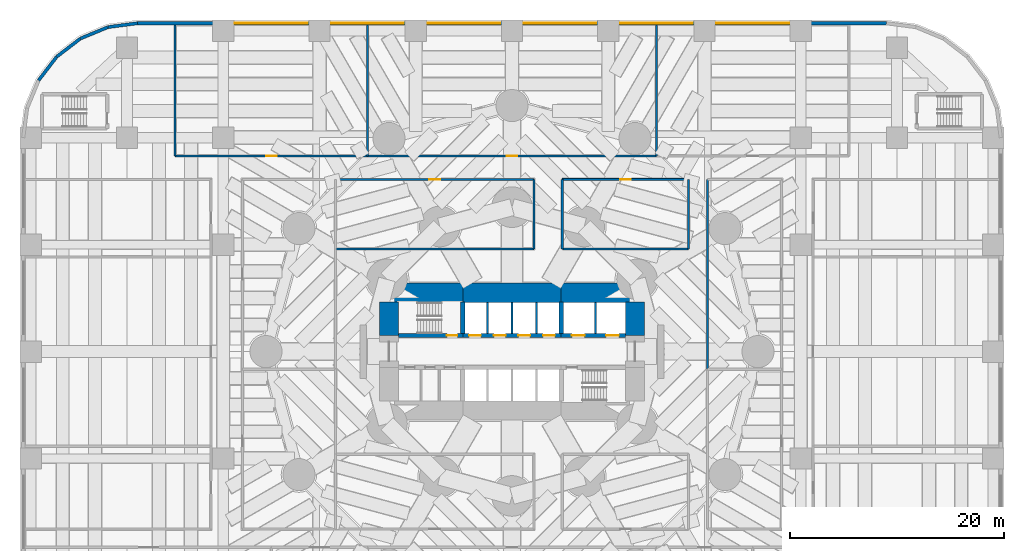
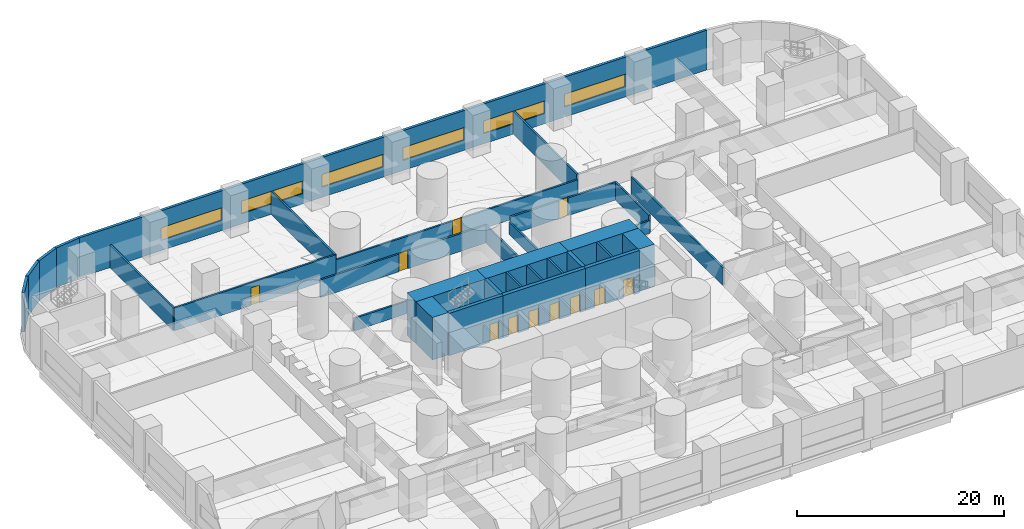
# One storey, part 9 of 17: 32 walls, 11 doors, 6 windows, 17 openings.
"""IFC4 building model written with IfcOpenShell, lengths in metres."""

from ifc_helpers import new_model, si_unit, direction, frame, frame_2d, origin, place, context, subcontext, project, spatial, rectangle, extrude, material, layer, layer_set, type_object, element, fill, save


model = new_model("IFC4")

# Units and contexts
model_context = context("Model", 3, precision=1e-05, world=origin(), true_north=direction((0.0, 1.0)))
body_context = subcontext(model_context, "Body", "Model", "MODEL_VIEW")
ifc_project = project(units=[si_unit("LENGTHUNIT", "METRE"), si_unit("AREAUNIT", "SQUARE_METRE"), si_unit("VOLUMEUNIT", "CUBIC_METRE"), si_unit("PLANEANGLEUNIT", "RADIAN"), si_unit("MASSUNIT", "GRAM", prefix="KILO")], contexts=[model_context])

# Site, building, storey
site_placement = place(None, origin())
site = spatial("IfcSite", under=ifc_project, at=site_placement, CompositionType="ELEMENT")
building_placement = place(site_placement, origin())
building = spatial("IfcBuilding", under=site, at=building_placement, Name="Qaws Media Tower", CompositionType="ELEMENT")
storey_placement = place(building_placement, frame((0.0, 0.0, 15.0)))
storey = spatial("IfcBuildingStorey", under=building, at=storey_placement, Name="L02", CompositionType="ELEMENT", Elevation=15.0)

# Wall, opening, door
ifc_material_1 = material(Name="Concrete C60/75", Category="concrete")
ifc_layer_1 = layer(ifc_material_1, 0.39990234375)
ifc_layer_set_1 = layer_set([ifc_layer_1], Name="Core inner wall 400")
wall_type_1 = type_object("IfcWallType", Name="Core inner wall 400", PredefinedType="SHEAR", material=ifc_layer_set_1)
wall_1_placement = place(storey_placement, frame((49.3798828125, 51.5, 0.0), z_axis=(0.0, 0.0, 1.0), x_axis=(1.0, 0.0, 0.0)))
wall_1 = element("IfcWall", 1, at=wall_1_placement, inside=storey, type_object=wall_type_1, Name="W311 SW4 core wall SPNW L02", PredefinedType="SHEAR", context=body_context, shape_type="SweptSolid", body=[
    extrude(rectangle(XDim=6.02001953125, YDim=0.39990234375, at=frame_2d((3.010009765625, 0.0))), origin(), (0.0, 0.0, 1.0), 5.0),
])
opening_1_placement = place(wall_1_placement, frame((4.52001953125, 0.0, 0.0)))
opening_1 = element("IfcOpeningElement", 2, at=opening_1_placement, cuts=wall_1, Name="Opening D1", PredefinedType="OPENING", context=body_context, shape_type="SweptSolid", body=[
    extrude(rectangle(XDim=1.0, YDim=2.10009765625, at=frame_2d((0.5, 1.050048828125))), frame((0.0, 0.2099609375, 0.0), z_axis=(0.0, -1.0, 0.0), x_axis=(1.0, 0.0, 0.0)), (0.0, 0.0, 1.0), 0.419921875),
])
ifc_material_2 = material(Name="Steel, fire rated", Category="steel")
door_type_1 = type_object("IfcDoorType", Name="Stair door 1000 FD120", OperationType="SINGLE_SWING_LEFT", PredefinedType="DOOR", material=ifc_material_2)
door_1_placement = place(opening_1_placement, origin())
door_1 = element("IfcDoor", 3, at=door_1_placement, inside=storey, type_object=door_type_1, Name="D1 stair S1 door L02 in wall W311", OperationType="SINGLE_SWING_LEFT", OverallHeight=2.10009765625, OverallWidth=1.0, PredefinedType="DOOR", context=body_context, shape_type="SweptSolid", body=[
    extrude(rectangle(XDim=1.0, YDim=2.10009765625, at=frame_2d((0.5, 1.050048828125))), frame((0.0, 0.02490234375, 0.0), z_axis=(0.0, -1.0, 0.0), x_axis=(1.0, 0.0, 0.0)), (0.0, 0.0, 1.0), 0.050048828125),
])
fill(opening_1, door_1)

# Wall, openings, doors
wall_2_placement = place(storey_placement, frame((55.39990234375, 51.5, 0.0), z_axis=(0.0, 0.0, 1.0), x_axis=(1.0, 0.0, 0.0)))
wall_2 = element("IfcWall", 4, at=wall_2_placement, inside=storey, type_object=wall_type_1, Name="W314 SW4 core wall SPN L02", PredefinedType="SHEAR", context=body_context, shape_type="SweptSolid", body=[
    extrude(rectangle(XDim=9.2001953125, YDim=0.39990234375, at=frame_2d((4.60009765625, 0.0))), origin(), (0.0, 0.0, 1.0), 5.0),
])
opening_2_placement = place(wall_2_placement, frame((0.60009765625, 0.0, 0.0)))
opening_2 = element("IfcOpeningElement", 5, at=opening_2_placement, cuts=wall_2, Name="Opening LD", PredefinedType="OPENING", context=body_context, shape_type="SweptSolid", body=[
    extrude(rectangle(XDim=1.10009765625, YDim=2.10009765625, at=frame_2d((0.550048828125, 1.050048828125))), frame((0.0, 0.2099609375, 0.0), z_axis=(0.0, -1.0, 0.0), x_axis=(1.0, 0.0, 0.0)), (0.0, 0.0, 1.0), 0.419921875),
])
opening_3_placement = place(wall_2_placement, frame((2.89990234375, 0.0, 0.0)))
opening_3 = element("IfcOpeningElement", 6, at=opening_3_placement, cuts=wall_2, Name="Opening LD", PredefinedType="OPENING", context=body_context, shape_type="SweptSolid", body=[
    extrude(rectangle(XDim=1.10009765625, YDim=2.10009765625, at=frame_2d((0.550048828125, 1.050048828125))), frame((0.0, 0.2099609375, 0.0), z_axis=(0.0, -1.0, 0.0), x_axis=(1.0, 0.0, 0.0)), (0.0, 0.0, 1.0), 0.419921875),
])
opening_4_placement = place(wall_2_placement, frame((5.199951171875, 0.0, 0.0)))
opening_4 = element("IfcOpeningElement", 7, at=opening_4_placement, cuts=wall_2, Name="Opening LD", PredefinedType="OPENING", context=body_context, shape_type="SweptSolid", body=[
    extrude(rectangle(XDim=1.10009765625, YDim=2.10009765625, at=frame_2d((0.550048828125, 1.050048828125))), frame((0.0, 0.2099609375, 0.0), z_axis=(0.0, -1.0, 0.0), x_axis=(1.0, 0.0, 0.0)), (0.0, 0.0, 1.0), 0.419921875),
])
opening_5_placement = place(wall_2_placement, frame((7.5, 0.0, 0.0)))
opening_5 = element("IfcOpeningElement", 8, at=opening_5_placement, cuts=wall_2, Name="Opening LD", PredefinedType="OPENING", context=body_context, shape_type="SweptSolid", body=[
    extrude(rectangle(XDim=1.10009765625, YDim=2.10009765625, at=frame_2d((0.550048828125, 1.050048828125))), frame((0.0, 0.2099609375, 0.0), z_axis=(0.0, -1.0, 0.0), x_axis=(1.0, 0.0, 0.0)), (0.0, 0.0, 1.0), 0.419921875),
])
ifc_material_3 = material(Name="Steel, fire rated", Category="steel")
door_type_2 = type_object("IfcDoorType", Name="Lift landing door 1100", OperationType="SLIDING_TO_LEFT", PredefinedType="DOOR", material=ifc_material_3)
door_2_placement = place(opening_2_placement, origin())
door_2 = element("IfcDoor", 9, at=door_2_placement, inside=storey, type_object=door_type_2, Name="P1 landing door L02 in wall W314", OperationType="SLIDING_TO_LEFT", OverallHeight=2.10009765625, OverallWidth=1.10009765625, PredefinedType="DOOR", context=body_context, shape_type="SweptSolid", body=[
    extrude(rectangle(XDim=1.10009765625, YDim=2.10009765625, at=frame_2d((0.550048828125, 1.050048828125))), frame((0.0, 0.02490234375, 0.0), z_axis=(0.0, -1.0, 0.0), x_axis=(1.0, 0.0, 0.0)), (0.0, 0.0, 1.0), 0.050048828125),
])
fill(opening_2, door_2)
door_3_placement = place(opening_3_placement, origin())
door_3 = element("IfcDoor", 10, at=door_3_placement, inside=storey, type_object=door_type_2, Name="P2 landing door L02 in wall W314", OperationType="SLIDING_TO_LEFT", OverallHeight=2.10009765625, OverallWidth=1.10009765625, PredefinedType="DOOR", context=body_context, shape_type="SweptSolid", body=[
    extrude(rectangle(XDim=1.10009765625, YDim=2.10009765625, at=frame_2d((0.550048828125, 1.050048828125))), frame((0.0, 0.02490234375, 0.0), z_axis=(0.0, -1.0, 0.0), x_axis=(1.0, 0.0, 0.0)), (0.0, 0.0, 1.0), 0.050048828125),
])
fill(opening_3, door_3)
door_4_placement = place(opening_4_placement, origin())
door_4 = element("IfcDoor", 11, at=door_4_placement, inside=storey, type_object=door_type_2, Name="P3 landing door L02 in wall W314", OperationType="SLIDING_TO_LEFT", OverallHeight=2.10009765625, OverallWidth=1.10009765625, PredefinedType="DOOR", context=body_context, shape_type="SweptSolid", body=[
    extrude(rectangle(XDim=1.10009765625, YDim=2.10009765625, at=frame_2d((0.550048828125, 1.050048828125))), frame((0.0, 0.02490234375, 0.0), z_axis=(0.0, -1.0, 0.0), x_axis=(1.0, 0.0, 0.0)), (0.0, 0.0, 1.0), 0.050048828125),
])
fill(opening_4, door_4)
door_5_placement = place(opening_5_placement, origin())
door_5 = element("IfcDoor", 12, at=door_5_placement, inside=storey, type_object=door_type_2, Name="P4 landing door L02 in wall W314", OperationType="SLIDING_TO_LEFT", OverallHeight=2.10009765625, OverallWidth=1.10009765625, PredefinedType="DOOR", context=body_context, shape_type="SweptSolid", body=[
    extrude(rectangle(XDim=1.10009765625, YDim=2.10009765625, at=frame_2d((0.550048828125, 1.050048828125))), frame((0.0, 0.02490234375, 0.0), z_axis=(0.0, -1.0, 0.0), x_axis=(1.0, 0.0, 0.0)), (0.0, 0.0, 1.0), 0.050048828125),
])
fill(opening_5, door_5)

wall_3_placement = place(storey_placement, frame((64.60009765625, 51.5, 0.0), z_axis=(0.0, 0.0, 1.0), x_axis=(1.0, 0.0, 0.0)))
wall_3 = element("IfcWall", 13, at=wall_3_placement, inside=storey, type_object=wall_type_1, Name="W318 SW4 core wall SPNE L02", PredefinedType="SHEAR", context=body_context, shape_type="SweptSolid", body=[
    extrude(rectangle(XDim=6.02001953125, YDim=0.39990234375, at=frame_2d((3.010009765625, 0.0))), origin(), (0.0, 0.0, 1.0), 5.0),
])
opening_6_placement = place(wall_3_placement, frame((1.0, 0.0, 0.0)))
opening_6 = element("IfcOpeningElement", 14, at=opening_6_placement, cuts=wall_3, Name="Opening LD2", PredefinedType="OPENING", context=body_context, shape_type="SweptSolid", body=[
    extrude(rectangle(XDim=1.199951171875, YDim=2.10009765625, at=frame_2d((0.60009765625, 1.050048828125))), frame((0.0, 0.2099609375, 0.0), z_axis=(0.0, -1.0, 0.0), x_axis=(1.0, 0.0, 0.0)), (0.0, 0.0, 1.0), 0.419921875),
])
opening_7_placement = place(wall_3_placement, frame((4.199951171875, 0.0, 0.0)))
opening_7 = element("IfcOpeningElement", 15, at=opening_7_placement, cuts=wall_3, Name="Opening LD2", PredefinedType="OPENING", context=body_context, shape_type="SweptSolid", body=[
    extrude(rectangle(XDim=1.199951171875, YDim=2.10009765625, at=frame_2d((0.60009765625, 1.050048828125))), frame((0.0, 0.2099609375, 0.0), z_axis=(0.0, -1.0, 0.0), x_axis=(1.0, 0.0, 0.0)), (0.0, 0.0, 1.0), 0.419921875),
])
ifc_material_4 = material(Name="Steel, fire rated", Category="steel")
door_type_3 = type_object("IfcDoorType", Name="Lift landing door 1200", OperationType="SLIDING_TO_LEFT", PredefinedType="DOOR", material=ifc_material_4)
door_6_placement = place(opening_6_placement, origin())
door_6 = element("IfcDoor", 16, at=door_6_placement, inside=storey, type_object=door_type_3, Name="FL1 landing door L02 in wall W318", OperationType="SLIDING_TO_LEFT", OverallHeight=2.10009765625, OverallWidth=1.199951171875, PredefinedType="DOOR", context=body_context, shape_type="SweptSolid", body=[
    extrude(rectangle(XDim=1.199951171875, YDim=2.10009765625, at=frame_2d((0.60009765625, 1.050048828125))), frame((0.0, 0.02490234375, 0.0), z_axis=(0.0, -1.0, 0.0), x_axis=(1.0, 0.0, 0.0)), (0.0, 0.0, 1.0), 0.050048828125),
])
fill(opening_6, door_6)
door_7_placement = place(opening_7_placement, origin())
door_7 = element("IfcDoor", 17, at=door_7_placement, inside=storey, type_object=door_type_3, Name="FL2 landing door L02 in wall W318", OperationType="SLIDING_TO_LEFT", OverallHeight=2.10009765625, OverallWidth=1.199951171875, PredefinedType="DOOR", context=body_context, shape_type="SweptSolid", body=[
    extrude(rectangle(XDim=1.199951171875, YDim=2.10009765625, at=frame_2d((0.60009765625, 1.050048828125))), frame((0.0, 0.02490234375, 0.0), z_axis=(0.0, -1.0, 0.0), x_axis=(1.0, 0.0, 0.0)), (0.0, 0.0, 1.0), 0.050048828125),
])
fill(opening_7, door_7)

# Walls
for number, where, z_axis, x_axis, name in (
    (18, (55.39990234375, 51.679931640625, 0.0), (0.0, 0.0, 1.0), (0.0, 1.0, 0.0), "W315 SW4 core wall XNW L02"),
    (19, (64.60009765625, 51.679931640625, 0.0), (0.0, 0.0, 1.0), (0.0, 1.0, 0.0), "W319 SW4 core wall XNE L02"),
):
    element("IfcWall", number, at=place(storey_placement, frame(where, z_axis=z_axis, x_axis=x_axis)), inside=storey, type_object=wall_type_1, Name=name, PredefinedType="SHEAR", context=body_context, shape_type="SweptSolid", body=[
        extrude(rectangle(XDim=2.940185546875, YDim=0.39990234375, at=frame_2d((1.47021484375, 0.0))), origin(), (0.0, 0.0, 1.0), 5.0),
    ])
ifc_material_5 = material(Name="Concrete C60/75", Category="concrete")
ifc_layer_2 = layer(ifc_material_5, 1.800048828125)
ifc_layer_set_2 = layer_set([ifc_layer_2], Name="Core wall 1800")
wall_type_2 = type_object("IfcWallType", Name="Core wall 1800", PredefinedType="SHEAR", material=ifc_layer_set_2)
wall_4_placement = place(storey_placement, frame((47.60009765625, 55.5, 0.0), z_axis=(0.0, 0.0, 1.0), x_axis=(1.0, 0.0, 0.0)))
element("IfcWall", 20, at=wall_4_placement, inside=storey, type_object=wall_type_2, Name="W399 SW11 core wall NW L02", PredefinedType="SHEAR", context=body_context, shape_type="SweptSolid", body=[
    extrude(rectangle(XDim=7.7998046875, YDim=1.800048828125, at=frame_2d((3.89990234375, 0.0))), origin(), (0.0, 0.0, 1.0), 5.0),
])
wall_5_placement = place(storey_placement, frame((55.39990234375, 55.5, 0.0), z_axis=(0.0, 0.0, 1.0), x_axis=(1.0, 0.0, 0.0)))
element("IfcWall", 21, at=wall_5_placement, inside=storey, type_object=wall_type_2, Name="W404 SW11 core wall N L02", PredefinedType="SHEAR", context=body_context, shape_type="SweptSolid", body=[
    extrude(rectangle(XDim=9.2001953125, YDim=1.800048828125, at=frame_2d((4.60009765625, 0.0))), origin(), (0.0, 0.0, 1.0), 5.0),
])
wall_6_placement = place(storey_placement, frame((64.60009765625, 55.5, 0.0), z_axis=(0.0, 0.0, 1.0), x_axis=(1.0, 0.0, 0.0)))
element("IfcWall", 22, at=wall_6_placement, inside=storey, type_object=wall_type_2, Name="W406 SW11 core wall NE L02", PredefinedType="SHEAR", context=body_context, shape_type="SweptSolid", body=[
    extrude(rectangle(XDim=7.7998046875, YDim=1.800048828125, at=frame_2d((3.89990234375, 0.0))), origin(), (0.0, 0.0, 1.0), 5.0),
])
for number, where, z_axis, x_axis, name in (
    (23, (71.5, 51.5, 0.0), (0.0, 0.0, 1.0), (0.0, 1.0, 0.0), "W409 SW11 core wall EN L02"),
    (24, (48.5, 51.5, 0.0), (0.0, 0.0, 1.0), (0.0, 1.0, 0.0), "W402 SW11 core wall WN L02"),
):
    element("IfcWall", number, at=place(storey_placement, frame(where, z_axis=z_axis, x_axis=x_axis)), inside=storey, type_object=wall_type_2, Name=name, PredefinedType="SHEAR", context=body_context, shape_type="SweptSolid", body=[
        extrude(rectangle(XDim=3.1201171875, YDim=1.800048828125, at=frame_2d((1.56005859375, 0.0))), origin(), (0.0, 0.0, 1.0), 5.0),
    ])

# Wall, openings, windows
ifc_material_6 = material(Name="Precast concrete, exposed finish", Category="concrete")
ifc_layer_3 = layer(ifc_material_6, 0.300048828125)
ifc_layer_set_3 = layer_set([ifc_layer_3], Name="Podium facade wall 300")
wall_type_3 = type_object("IfcWallType", Name="Podium facade wall 300", PredefinedType="SOLIDWALL", material=ifc_layer_set_3)
wall_7_placement = place(storey_placement, frame((95.0, 80.699951171875, 0.0), z_axis=(0.0, 0.0, 1.0), x_axis=(-1.0, 0.0, 0.0)))
wall_7 = element("IfcWall", 25, at=wall_7_placement, inside=storey, type_object=wall_type_3, Name="W780 EW2 podium wall L02-14", PredefinedType="SOLIDWALL", context=body_context, shape_type="SweptSolid", body=[
    extrude(rectangle(XDim=70.0, YDim=0.300048828125, at=frame_2d((35.0, 0.0))), origin(), (0.0, 0.0, 1.0), 4.699951171875),
])
opening_8_placement = place(wall_7_placement, frame((54.10009765625, 0.0, 1.199951171875)))
opening_8 = element("IfcOpeningElement", 26, at=opening_8_placement, cuts=wall_7, Name="Opening W2", PredefinedType="OPENING", context=body_context, shape_type="SweptSolid", body=[
    extrude(rectangle(XDim=6.800048828125, YDim=1.5, at=frame_2d((3.39990234375, 0.75))), frame((0.0, 0.159912109375, 0.0), z_axis=(0.0, -1.0, 0.0), x_axis=(1.0, 0.0, 0.0)), (0.0, 0.0, 1.0), 0.320068359375),
])
opening_9_placement = place(wall_7_placement, frame((45.10009765625, 0.0, 1.199951171875)))
opening_9 = element("IfcOpeningElement", 27, at=opening_9_placement, cuts=wall_7, Name="Opening W2", PredefinedType="OPENING", context=body_context, shape_type="SweptSolid", body=[
    extrude(rectangle(XDim=6.800048828125, YDim=1.5, at=frame_2d((3.39990234375, 0.75))), frame((0.0, 0.159912109375, 0.0), z_axis=(0.0, -1.0, 0.0), x_axis=(1.0, 0.0, 0.0)), (0.0, 0.0, 1.0), 0.320068359375),
])
opening_10_placement = place(wall_7_placement, frame((36.10009765625, 0.0, 1.199951171875)))
opening_10 = element("IfcOpeningElement", 28, at=opening_10_placement, cuts=wall_7, Name="Opening W2", PredefinedType="OPENING", context=body_context, shape_type="SweptSolid", body=[
    extrude(rectangle(XDim=6.800048828125, YDim=1.5, at=frame_2d((3.39990234375, 0.75))), frame((0.0, 0.159912109375, 0.0), z_axis=(0.0, -1.0, 0.0), x_axis=(1.0, 0.0, 0.0)), (0.0, 0.0, 1.0), 0.320068359375),
])
opening_11_placement = place(wall_7_placement, frame((27.10009765625, 0.0, 1.199951171875)))
opening_11 = element("IfcOpeningElement", 29, at=opening_11_placement, cuts=wall_7, Name="Opening W2", PredefinedType="OPENING", context=body_context, shape_type="SweptSolid", body=[
    extrude(rectangle(XDim=6.800048828125, YDim=1.5, at=frame_2d((3.39990234375, 0.75))), frame((0.0, 0.159912109375, 0.0), z_axis=(0.0, -1.0, 0.0), x_axis=(1.0, 0.0, 0.0)), (0.0, 0.0, 1.0), 0.320068359375),
])
opening_12_placement = place(wall_7_placement, frame((18.10009765625, 0.0, 1.199951171875)))
opening_12 = element("IfcOpeningElement", 30, at=opening_12_placement, cuts=wall_7, Name="Opening W2", PredefinedType="OPENING", context=body_context, shape_type="SweptSolid", body=[
    extrude(rectangle(XDim=6.800048828125, YDim=1.5, at=frame_2d((3.39990234375, 0.75))), frame((0.0, 0.159912109375, 0.0), z_axis=(0.0, -1.0, 0.0), x_axis=(1.0, 0.0, 0.0)), (0.0, 0.0, 1.0), 0.320068359375),
])
opening_13_placement = place(wall_7_placement, frame((9.10009765625, 0.0, 1.199951171875)))
opening_13 = element("IfcOpeningElement", 31, at=opening_13_placement, cuts=wall_7, Name="Opening W2", PredefinedType="OPENING", context=body_context, shape_type="SweptSolid", body=[
    extrude(rectangle(XDim=6.800048828125, YDim=1.5, at=frame_2d((3.39990234375, 0.75))), frame((0.0, 0.159912109375, 0.0), z_axis=(0.0, -1.0, 0.0), x_axis=(1.0, 0.0, 0.0)), (0.0, 0.0, 1.0), 0.320068359375),
])
ifc_material_7 = material(Name="Aluminium and clear glass", Category="aluminium")
window_type = type_object("IfcWindowType", Name="Ribbon window 6800x1500", PartitioningType="TRIPLE_PANEL_HORIZONTAL", PredefinedType="WINDOW", material=ifc_material_7)
window_1_placement = place(opening_8_placement, origin())
window_1 = element("IfcWindow", 32, at=window_1_placement, inside=storey, type_object=window_type, Name="W2 window L02 bay 3", OverallHeight=1.5, OverallWidth=6.800048828125, PartitioningType="SINGLE_PANEL", PredefinedType="WINDOW", context=body_context, shape_type="SweptSolid", body=[
    extrude(rectangle(XDim=6.800048828125, YDim=1.5, at=frame_2d((3.39990234375, 0.75))), frame((0.0, 0.030029296875, 0.0), z_axis=(0.0, -1.0, 0.0), x_axis=(1.0, 0.0, 0.0)), (0.0, 0.0, 1.0), 0.06005859375),
])
fill(opening_8, window_1)
window_2_placement = place(opening_9_placement, origin())
window_2 = element("IfcWindow", 33, at=window_2_placement, inside=storey, type_object=window_type, Name="W2 window L02 bay 4", OverallHeight=1.5, OverallWidth=6.800048828125, PartitioningType="SINGLE_PANEL", PredefinedType="WINDOW", context=body_context, shape_type="SweptSolid", body=[
    extrude(rectangle(XDim=6.800048828125, YDim=1.5, at=frame_2d((3.39990234375, 0.75))), frame((0.0, 0.030029296875, 0.0), z_axis=(0.0, -1.0, 0.0), x_axis=(1.0, 0.0, 0.0)), (0.0, 0.0, 1.0), 0.06005859375),
])
fill(opening_9, window_2)
window_3_placement = place(opening_10_placement, origin())
window_3 = element("IfcWindow", 34, at=window_3_placement, inside=storey, type_object=window_type, Name="W2 window L02 bay 5", OverallHeight=1.5, OverallWidth=6.800048828125, PartitioningType="SINGLE_PANEL", PredefinedType="WINDOW", context=body_context, shape_type="SweptSolid", body=[
    extrude(rectangle(XDim=6.800048828125, YDim=1.5, at=frame_2d((3.39990234375, 0.75))), frame((0.0, 0.030029296875, 0.0), z_axis=(0.0, -1.0, 0.0), x_axis=(1.0, 0.0, 0.0)), (0.0, 0.0, 1.0), 0.06005859375),
])
fill(opening_10, window_3)
window_4_placement = place(opening_11_placement, origin())
window_4 = element("IfcWindow", 35, at=window_4_placement, inside=storey, type_object=window_type, Name="W2 window L02 bay 6", OverallHeight=1.5, OverallWidth=6.800048828125, PartitioningType="SINGLE_PANEL", PredefinedType="WINDOW", context=body_context, shape_type="SweptSolid", body=[
    extrude(rectangle(XDim=6.800048828125, YDim=1.5, at=frame_2d((3.39990234375, 0.75))), frame((0.0, 0.030029296875, 0.0), z_axis=(0.0, -1.0, 0.0), x_axis=(1.0, 0.0, 0.0)), (0.0, 0.0, 1.0), 0.06005859375),
])
fill(opening_11, window_4)
window_5_placement = place(opening_12_placement, origin())
window_5 = element("IfcWindow", 36, at=window_5_placement, inside=storey, type_object=window_type, Name="W2 window L02 bay 7", OverallHeight=1.5, OverallWidth=6.800048828125, PartitioningType="SINGLE_PANEL", PredefinedType="WINDOW", context=body_context, shape_type="SweptSolid", body=[
    extrude(rectangle(XDim=6.800048828125, YDim=1.5, at=frame_2d((3.39990234375, 0.75))), frame((0.0, 0.030029296875, 0.0), z_axis=(0.0, -1.0, 0.0), x_axis=(1.0, 0.0, 0.0)), (0.0, 0.0, 1.0), 0.06005859375),
])
fill(opening_12, window_5)
window_6_placement = place(opening_13_placement, origin())
window_6 = element("IfcWindow", 37, at=window_6_placement, inside=storey, type_object=window_type, Name="W2 window L02 bay 8", OverallHeight=1.5, OverallWidth=6.800048828125, PartitioningType="SINGLE_PANEL", PredefinedType="WINDOW", context=body_context, shape_type="SweptSolid", body=[
    extrude(rectangle(XDim=6.800048828125, YDim=1.5, at=frame_2d((3.39990234375, 0.75))), frame((0.0, 0.030029296875, 0.0), z_axis=(0.0, -1.0, 0.0), x_axis=(1.0, 0.0, 0.0)), (0.0, 0.0, 1.0), 0.06005859375),
])
fill(opening_13, window_6)

# Walls
wall_8_placement = place(storey_placement, frame((25.0, 80.699951171875, 0.0), z_axis=(0.0, 0.0, 1.0), x_axis=(-0.991448642066, -0.130497471798, 0.0)))
element("IfcWall", 38, at=wall_8_placement, inside=storey, type_object=wall_type_3, Name="W776 EW2 podium wall L02-15", PredefinedType="SOLIDWALL", context=body_context, shape_type="SweptSolid", body=[
    extrude(rectangle(XDim=2.793212890625, YDim=0.300048828125, at=frame_2d((1.396484375, 0.0))), origin(), (0.0, 0.0, 1.0), 4.699951171875),
])
wall_9_placement = place(storey_placement, frame((22.230712890625, 80.33544921875, 0.0), z_axis=(0.0, 0.0, 1.0), x_axis=(-0.923868765822, -0.382709424419, 0.0)))
element("IfcWall", 39, at=wall_9_placement, inside=storey, type_object=wall_type_3, Name="W774 EW2 podium wall L02-16", PredefinedType="SOLIDWALL", context=body_context, shape_type="SweptSolid", body=[
    extrude(rectangle(XDim=2.79345703125, YDim=0.300048828125, at=frame_2d((1.396728515625, 0.0))), origin(), (0.0, 0.0, 1.0), 4.699951171875),
])
for number, where, z_axis, x_axis, name in (
    (40, (19.64990234375, 79.266357421875, 0.0), (0.0, 0.0, 1.0), (-0.793396695539, -0.608704923183, 0.0), "W772 EW2 podium wall L02-17"),
    (41, (17.433837890625, 77.566162109375, 0.0), (0.0, 0.0, 1.0), (-0.608704923183, -0.793396695539, 0.0), "W770 EW2 podium wall L02-18"),
):
    element("IfcWall", number, at=place(storey_placement, frame(where, z_axis=z_axis, x_axis=x_axis)), inside=storey, type_object=wall_type_3, Name=name, PredefinedType="SOLIDWALL", context=body_context, shape_type="SweptSolid", body=[
        extrude(rectangle(XDim=2.793212890625, YDim=0.300048828125, at=frame_2d((1.396484375, 0.0))), origin(), (0.0, 0.0, 1.0), 4.699951171875),
    ])
ifc_material_8 = material(Name="Gypsum board on galvanised metal studs, acoustic double stud, deflection head", Category="gypsum")
ifc_layer_4 = layer(ifc_material_8, 0.199951171875)
ifc_layer_set_4 = layer_set([ifc_layer_4], Name="Room partition 200")
wall_type_4 = type_object("IfcWallType", Name="Room partition 200", PredefinedType="PARTITIONING", material=ifc_layer_set_4)
for number, where, z_axis, x_axis, name in (
    (42, (28.5, 68.300048828125, 0.0), (0.0, 0.0, 1.0), (0.0, 1.0, 0.0), "W846 IW3 partition L02"),
    (43, (46.5, 68.300048828125, 0.0), (0.0, 0.0, 1.0), (0.0, 1.0, 0.0), "W861 IW3 partition L02"),
):
    element("IfcWall", number, at=place(storey_placement, frame(where, z_axis=z_axis, x_axis=x_axis)), inside=storey, type_object=wall_type_4, Name=name, PredefinedType="PARTITIONING", context=body_context, shape_type="SweptSolid", body=[
        extrude(rectangle(XDim=12.244873046875, YDim=0.199951171875, at=frame_2d((6.12255859375, 0.0))), origin(), (0.0, 0.0, 1.0), 2.679931640625),
    ])
wall_10_placement = place(storey_placement, frame((62.050048828125, 59.60009765625, 0.0), z_axis=(0.0, 0.0, 1.0), x_axis=(0.0, 1.0, 0.0)))
element("IfcWall", 44, at=wall_10_placement, inside=storey, type_object=wall_type_4, Name="W825 IW3 partition L02", PredefinedType="PARTITIONING", context=body_context, shape_type="SweptSolid", body=[
    extrude(rectangle(XDim=6.5, YDim=0.199951171875, at=frame_2d((3.25, 0.0))), origin(), (0.0, 0.0, 1.0), 2.080078125),
])
wall_11_placement = place(storey_placement, frame((64.699951171875, 59.60009765625, 0.0), z_axis=(0.0, 0.0, 1.0), x_axis=(0.0, 1.0, 0.0)))
element("IfcWall", 45, at=wall_11_placement, inside=storey, type_object=wall_type_4, Name="W829 IW3 partition L02", PredefinedType="PARTITIONING", context=body_context, shape_type="SweptSolid", body=[
    extrude(rectangle(XDim=6.5, YDim=0.199951171875, at=frame_2d((3.25, 0.0))), origin(), (0.0, 0.0, 1.0), 1.47998046875),
])
wall_12_placement = place(storey_placement, frame((73.5, 68.300048828125, 0.0), z_axis=(0.0, 0.0, 1.0), x_axis=(0.0, 1.0, 0.0)))
element("IfcWall", 46, at=wall_12_placement, inside=storey, type_object=wall_type_4, Name="W873 IW3 partition L02", PredefinedType="PARTITIONING", context=body_context, shape_type="SweptSolid", body=[
    extrude(rectangle(XDim=12.244873046875, YDim=0.199951171875, at=frame_2d((6.12255859375, 0.0))), origin(), (0.0, 0.0, 1.0), 2.679931640625),
])
wall_13_placement = place(storey_placement, frame((76.5, 59.60009765625, 0.0), z_axis=(0.0, 0.0, 1.0), x_axis=(0.0, 1.0, 0.0)))
element("IfcWall", 47, at=wall_13_placement, inside=storey, type_object=wall_type_4, Name="W836 IW3 partition L02", PredefinedType="PARTITIONING", context=body_context, shape_type="SweptSolid", body=[
    extrude(rectangle(XDim=6.5, YDim=0.199951171875, at=frame_2d((3.25, 0.0))), origin(), (0.0, 0.0, 1.0), 2.080078125),
])
wall_14_placement = place(storey_placement, frame((78.27001953125, 48.35009765625, 0.0), z_axis=(0.0, 0.0, 1.0), x_axis=(0.0, 1.0, 0.0)))
element("IfcWall", 48, at=wall_14_placement, inside=storey, type_object=wall_type_4, Name="W909 IW3 partition L02", PredefinedType="PARTITIONING", context=body_context, shape_type="SweptSolid", body=[
    extrude(rectangle(XDim=17.75, YDim=0.199951171875, at=frame_2d((8.875, 0.0))), origin(), (0.0, 0.0, 1.0), 2.080078125),
])
wall_15_placement = place(storey_placement, frame((43.5, 59.60009765625, 0.0), z_axis=(0.0, 0.0, 1.0), x_axis=(1.0, 0.0, 0.0)))
element("IfcWall", 49, at=wall_15_placement, inside=storey, type_object=wall_type_4, Name="W822 IW3 partition L02", PredefinedType="PARTITIONING", context=body_context, shape_type="SweptSolid", body=[
    extrude(rectangle(XDim=18.550048828125, YDim=0.199951171875, at=frame_2d((9.27490234375, 0.0))), origin(), (0.0, 0.0, 1.0), 1.47998046875),
])
wall_16_placement = place(storey_placement, frame((64.699951171875, 59.60009765625, 0.0), z_axis=(0.0, 0.0, 1.0), x_axis=(1.0, 0.0, 0.0)))
element("IfcWall", 50, at=wall_16_placement, inside=storey, type_object=wall_type_4, Name="W830 IW3 partition L02", PredefinedType="PARTITIONING", context=body_context, shape_type="SweptSolid", body=[
    extrude(rectangle(XDim=11.800048828125, YDim=0.199951171875, at=frame_2d((5.89990234375, 0.0))), origin(), (0.0, 0.0, 1.0), 1.47998046875),
])

# Wall, opening, door
wall_17_placement = place(storey_placement, frame((43.5, 66.10009765625, 0.0), z_axis=(0.0, 0.0, 1.0), x_axis=(1.0, 0.0, 0.0)))
wall_17 = element("IfcWall", 51, at=wall_17_placement, inside=storey, type_object=wall_type_4, Name="W823 IW3 partition L02", PredefinedType="PARTITIONING", context=body_context, shape_type="SweptSolid", body=[
    extrude(rectangle(XDim=18.550048828125, YDim=0.199951171875, at=frame_2d((9.27490234375, 0.0))), origin(), (0.0, 0.0, 1.0), 2.080078125),
])
opening_14_placement = place(wall_17_placement, frame((8.77490234375, 0.0, 0.0)))
opening_14 = element("IfcOpeningElement", 52, at=opening_14_placement, cuts=wall_17, Name="Opening D5", PredefinedType="OPENING", context=body_context, shape_type="SweptSolid", body=[
    extrude(rectangle(XDim=1.0, YDim=2.10009765625, at=frame_2d((0.5, 1.050048828125))), frame((0.0, 0.10986328125, 0.0), z_axis=(0.0, -1.0, 0.0), x_axis=(1.0, 0.0, 0.0)), (0.0, 0.0, 1.0), 0.219970703125),
])
ifc_material_9 = material(Name="Timber veneered, acoustic seal", Category="wood")
door_type_4 = type_object("IfcDoorType", Name="Room door 1000", OperationType="SINGLE_SWING_LEFT", PredefinedType="DOOR", material=ifc_material_9)
door_8_placement = place(opening_14_placement, origin())
door_8 = element("IfcDoor", 53, at=door_8_placement, inside=storey, type_object=door_type_4, Name="D5 Engineering office door in wall W823", OperationType="SINGLE_SWING_LEFT", OverallHeight=2.10009765625, OverallWidth=1.0, PredefinedType="DOOR", context=body_context, shape_type="SweptSolid", body=[
    extrude(rectangle(XDim=1.0, YDim=2.10009765625, at=frame_2d((0.5, 1.050048828125))), frame((0.0, 0.02490234375, 0.0), z_axis=(0.0, -1.0, 0.0), x_axis=(1.0, 0.0, 0.0)), (0.0, 0.0, 1.0), 0.050048828125),
])
fill(opening_14, door_8)

wall_18_placement = place(storey_placement, frame((64.699951171875, 66.10009765625, 0.0), z_axis=(0.0, 0.0, 1.0), x_axis=(1.0, 0.0, 0.0)))
wall_18 = element("IfcWall", 54, at=wall_18_placement, inside=storey, type_object=wall_type_4, Name="W831 IW3 partition L02", PredefinedType="PARTITIONING", context=body_context, shape_type="SweptSolid", body=[
    extrude(rectangle(XDim=11.800048828125, YDim=0.199951171875, at=frame_2d((5.89990234375, 0.0))), origin(), (0.0, 0.0, 1.0), 2.080078125),
])
opening_15_placement = place(wall_18_placement, frame((5.39990234375, 0.0, 0.0)))
opening_15 = element("IfcOpeningElement", 55, at=opening_15_placement, cuts=wall_18, Name="Opening D5", PredefinedType="OPENING", context=body_context, shape_type="SweptSolid", body=[
    extrude(rectangle(XDim=1.0, YDim=2.10009765625, at=frame_2d((0.5, 1.050048828125))), frame((0.0, 0.10986328125, 0.0), z_axis=(0.0, -1.0, 0.0), x_axis=(1.0, 0.0, 0.0)), (0.0, 0.0, 1.0), 0.219970703125),
])
door_9_placement = place(opening_15_placement, origin())
door_9 = element("IfcDoor", 56, at=door_9_placement, inside=storey, type_object=door_type_4, Name="D5 Quality control room door in wall W831", OperationType="SINGLE_SWING_LEFT", OverallHeight=2.10009765625, OverallWidth=1.0, PredefinedType="DOOR", context=body_context, shape_type="SweptSolid", body=[
    extrude(rectangle(XDim=1.0, YDim=2.10009765625, at=frame_2d((0.5, 1.050048828125))), frame((0.0, 0.02490234375, 0.0), z_axis=(0.0, -1.0, 0.0), x_axis=(1.0, 0.0, 0.0)), (0.0, 0.0, 1.0), 0.050048828125),
])
fill(opening_15, door_9)

wall_19_placement = place(storey_placement, frame((28.5, 68.300048828125, 0.0), z_axis=(0.0, 0.0, 1.0), x_axis=(1.0, 0.0, 0.0)))
wall_19 = element("IfcWall", 57, at=wall_19_placement, inside=storey, type_object=wall_type_4, Name="W892 IW3 partition L02", PredefinedType="PARTITIONING", context=body_context, shape_type="SweptSolid", body=[
    extrude(rectangle(XDim=18.0, YDim=0.199951171875, at=frame_2d((9.0, 0.0))), origin(), (0.0, 0.0, 1.0), 2.679931640625),
])
opening_16_placement = place(wall_19_placement, frame((8.5, 0.0, 0.0)))
opening_16 = element("IfcOpeningElement", 58, at=opening_16_placement, cuts=wall_19, Name="Opening D5", PredefinedType="OPENING", context=body_context, shape_type="SweptSolid", body=[
    extrude(rectangle(XDim=1.0, YDim=2.10009765625, at=frame_2d((0.5, 1.050048828125))), frame((0.0, 0.10986328125, 0.0), z_axis=(0.0, -1.0, 0.0), x_axis=(1.0, 0.0, 0.0)), (0.0, 0.0, 1.0), 0.219970703125),
])
door_10_placement = place(opening_16_placement, origin())
door_10 = element("IfcDoor", 59, at=door_10_placement, inside=storey, type_object=door_type_4, Name="D5 Master control room door in wall W892", OperationType="SINGLE_SWING_LEFT", OverallHeight=2.10009765625, OverallWidth=1.0, PredefinedType="DOOR", context=body_context, shape_type="SweptSolid", body=[
    extrude(rectangle(XDim=1.0, YDim=2.10009765625, at=frame_2d((0.5, 1.050048828125))), frame((0.0, 0.02490234375, 0.0), z_axis=(0.0, -1.0, 0.0), x_axis=(1.0, 0.0, 0.0)), (0.0, 0.0, 1.0), 0.050048828125),
])
fill(opening_16, door_10)

wall_20_placement = place(storey_placement, frame((46.5, 68.300048828125, 0.0), z_axis=(0.0, 0.0, 1.0), x_axis=(1.0, 0.0, 0.0)))
wall_20 = element("IfcWall", 60, at=wall_20_placement, inside=storey, type_object=wall_type_4, Name="W905 IW3 partition L02", PredefinedType="PARTITIONING", context=body_context, shape_type="SweptSolid", body=[
    extrude(rectangle(XDim=27.0, YDim=0.199951171875, at=frame_2d((13.5, 0.0))), origin(), (0.0, 0.0, 1.0), 2.080078125),
])
opening_17_placement = place(wall_20_placement, frame((13.0, 0.0, 0.0)))
opening_17 = element("IfcOpeningElement", 61, at=opening_17_placement, cuts=wall_20, Name="Opening D5", PredefinedType="OPENING", context=body_context, shape_type="SweptSolid", body=[
    extrude(rectangle(XDim=1.0, YDim=2.10009765625, at=frame_2d((0.5, 1.050048828125))), frame((0.0, 0.10986328125, 0.0), z_axis=(0.0, -1.0, 0.0), x_axis=(1.0, 0.0, 0.0)), (0.0, 0.0, 1.0), 0.219970703125),
])
door_11_placement = place(opening_17_placement, origin())
door_11 = element("IfcDoor", 62, at=door_11_placement, inside=storey, type_object=door_type_4, Name="D5 Network operations centre door in wall W905", OperationType="SINGLE_SWING_LEFT", OverallHeight=2.10009765625, OverallWidth=1.0, PredefinedType="DOOR", context=body_context, shape_type="SweptSolid", body=[
    extrude(rectangle(XDim=1.0, YDim=2.10009765625, at=frame_2d((0.5, 1.050048828125))), frame((0.0, 0.02490234375, 0.0), z_axis=(0.0, -1.0, 0.0), x_axis=(1.0, 0.0, 0.0)), (0.0, 0.0, 1.0), 0.050048828125),
])
fill(opening_17, door_11)

# Walls
ifc_material_10 = material(Name="Fire-rated gypsum board shaft wall on galvanised metal studs, deflection head", Category="gypsum")
ifc_layer_5 = layer(ifc_material_10, 0.199951171875)
ifc_layer_set_5 = layer_set([ifc_layer_5], Name="Shaft wall 200")
wall_type_5 = type_object("IfcWallType", Name="Shaft wall 200", PredefinedType="PARTITIONING", material=ifc_layer_set_5)
for number, where, z_axis, x_axis, name in (
    (63, (57.699951171875, 51.699951171875, 0.0), (0.0, 0.0, 1.0), (0.0, 1.0, 0.0), "W1842 IW1 shaft wall N1 L02"),
    (64, (60.0, 51.699951171875, 0.0), (0.0, 0.0, 1.0), (0.0, 1.0, 0.0), "W1843 IW1 shaft wall N2 L02"),
    (65, (62.300048828125, 51.699951171875, 0.0), (0.0, 0.0, 1.0), (0.0, 1.0, 0.0), "W1844 IW1 shaft wall N3 L02"),
    (66, (67.800048828125, 51.699951171875, 0.0), (0.0, 0.0, 1.0), (0.0, 1.0, 0.0), "W1845 IW1 shaft wall FL L02"),
):
    element("IfcWall", number, at=place(storey_placement, frame(where, z_axis=z_axis, x_axis=x_axis)), inside=storey, type_object=wall_type_5, Name=name, PredefinedType="PARTITIONING", context=body_context, shape_type="SweptSolid", body=[
        extrude(rectangle(XDim=2.900146484375, YDim=0.199951171875, at=frame_2d((1.4501953125, 0.0))), origin(), (0.0, 0.0, 1.0), 5.0),
    ])

save(model, "model.ifc")
